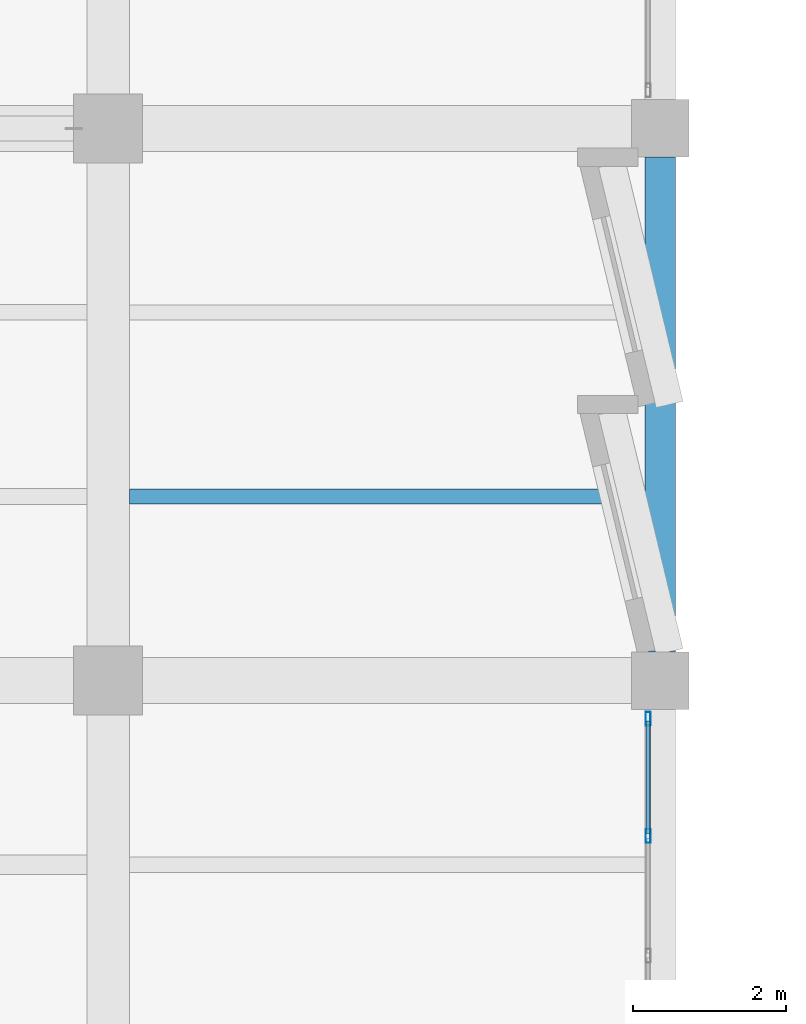
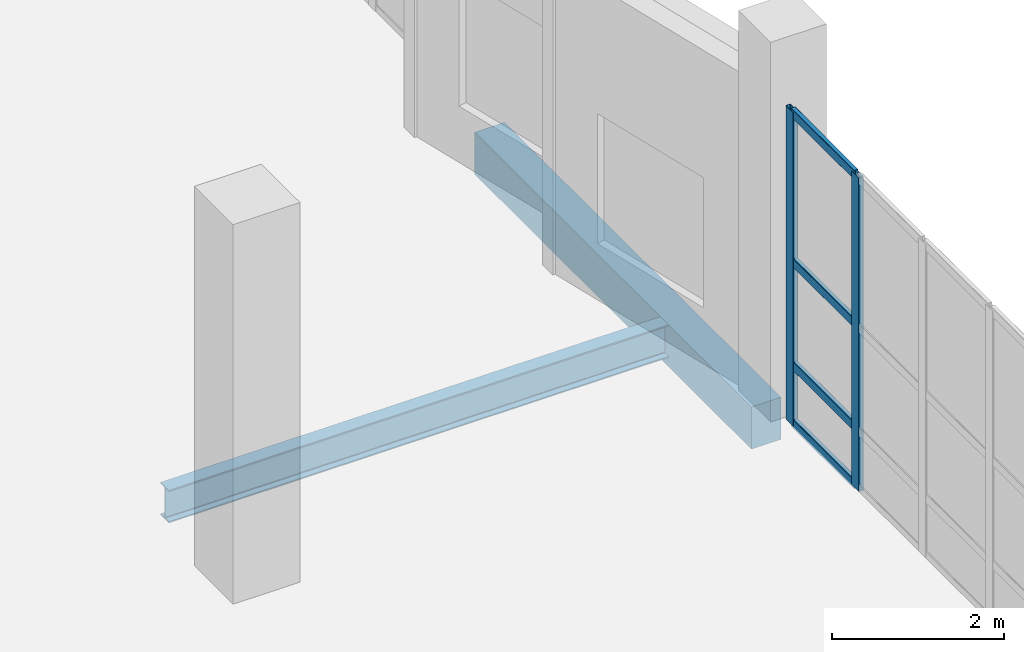
# One storey, part 16 of 137: 6 members, 2 beams, 1 element without a shape of its own.
"""IFC4 building model written with IfcOpenShell, lengths in metres."""

from ifc_helpers import new_model, si_unit, direction, frame, origin, origin_2d, place, context, subcontext, project, spatial, rectangle, hollow_rectangle, i_section, extrude, material, material_profile, profile_set, type_object, element, aggregate, save


model = new_model("IFC4")

# Units and contexts
model_context = context("Model", 3, precision=1e-05, world=origin(), true_north=direction((0.0, 1.0)))
body_context = subcontext(model_context, "Body", "Model", "MODEL_VIEW")
ifc_project = project(units=[si_unit("LENGTHUNIT", "METRE"), si_unit("AREAUNIT", "SQUARE_METRE"), si_unit("VOLUMEUNIT", "CUBIC_METRE"), si_unit("PLANEANGLEUNIT", "RADIAN"), si_unit("MASSUNIT", "GRAM", prefix="KILO")], contexts=[model_context])

# Site, building, storey
site_placement = place(None, origin())
site = spatial("IfcSite", under=ifc_project, at=site_placement, CompositionType="ELEMENT")
building_placement = place(site_placement, origin())
building = spatial("IfcBuilding", under=site, at=building_placement, Name="Kalmorath City Hall", CompositionType="ELEMENT")
storey_placement = place(building_placement, origin())
storey = spatial("IfcBuildingStorey", under=building, at=storey_placement, Name="L00", CompositionType="ELEMENT", Elevation=0.0)

# Beam
ifc_material_1 = material(Name="Concrete C40/50", Category="concrete")
ifc_material_profile_1 = material_profile(ifc_material_1, rectangle(XDim=0.39990234375, YDim=0.60009765625, at=origin_2d()), Name="RC-BM-400X600")
ifc_profile_set_1 = profile_set([ifc_material_profile_1], Name="Concrete C40/50")
beam_type_1 = type_object("IfcBeamType", Name="Concrete edge beam 400x600", PredefinedType="SPANDREL", material=ifc_profile_set_1)
beam_1_placement = place(storey_placement, frame((28.800048828125, 43.574951171875, -0.60400390625), z_axis=(0.0, 1.0, 0.0), x_axis=(-1.0, 0.0, 0.0)))
element("IfcBeam", 1, at=beam_1_placement, inside=storey, type_object=beam_type_1, Name="L00 girder CB6 Y5/7-8", PredefinedType="SPANDREL", context=body_context, shape_type="SweptSolid", body=[
    extrude(rectangle(XDim=0.39990234375, YDim=0.60009765625, at=origin_2d()), origin(), (0.0, 0.0, 1.0), 6.449951171875),
])

# Curtain wall, members
ifc_material_2 = material(Name="Anodised aluminium and laminated glass", Category="aluminium")
curtain_wall_type = type_object("IfcCurtainWallType", Name="Unitised hurricane curtain wall 6245x4461 M1600", PredefinedType="NOTDEFINED", material=ifc_material_2)
curtain_wall_placement = place(storey_placement, origin())
curtain_wall = element("IfcCurtainWall", 2, at=curtain_wall_placement, inside=storey, type_object=curtain_wall_type, Name="L00 curtain wall CW-62X45M16 #58", PredefinedType="NOTDEFINED")
ifc_material_3 = material(Name="Anodised aluminium framing", Category="aluminium")
ifc_material_profile_2 = material_profile(ifc_material_3, hollow_rectangle(XDim=0.06494140625, YDim=0.179931640625, WallThickness=0.00390625, InnerFilletRadius=0.00390625, OuterFilletRadius=0.008056640625, at=origin_2d()), Name="ALU-MUL-180X65X4")
ifc_profile_set_2 = profile_set([ifc_material_profile_2], Name="Anodised aluminium framing")
member_type_1 = type_object("IfcMemberType", Name="Curtain-wall courtyard mullion 180x65", PredefinedType="MULLION", material=ifc_profile_set_2)
member_1_placement = place(storey_placement, frame((28.639892578125, 42.702392578125, 0.0), z_axis=(0.0, 0.0, 1.0), x_axis=(1.0, 0.0, 0.0)))
member_1 = element("IfcMember", 3, at=member_1_placement, type_object=member_type_1, Name="CW-62X45M16 mullion 1", PredefinedType="MULLION", context=body_context, shape_type="SweptSolid", body=[
    extrude(hollow_rectangle(XDim=0.06494140625, YDim=0.179931640625, WallThickness=0.00390625, InnerFilletRadius=0.00390625, OuterFilletRadius=0.008056640625, at=origin_2d()), origin(), (0.0, 0.0, 1.0), 4.4609375),
])
member_2_placement = place(storey_placement, frame((28.639892578125, 41.173828125, 0.0), z_axis=(0.0, 0.0, 1.0), x_axis=(1.0, 0.0, 0.0)))
member_2 = element("IfcMember", 4, at=member_2_placement, type_object=member_type_1, Name="CW-62X45M16 mullion 2", PredefinedType="MULLION", context=body_context, shape_type="SweptSolid", body=[
    extrude(hollow_rectangle(XDim=0.06494140625, YDim=0.179931640625, WallThickness=0.00390625, InnerFilletRadius=0.00390625, OuterFilletRadius=0.008056640625, at=origin_2d()), origin(), (0.0, 0.0, 1.0), 4.4609375),
])
ifc_material_4 = material(Name="Anodised aluminium framing", Category="aluminium")
ifc_material_profile_3 = material_profile(ifc_material_4, hollow_rectangle(XDim=0.06005859375, YDim=0.1298828125, WallThickness=0.00341796875, InnerFilletRadius=0.00341796875, OuterFilletRadius=0.007080078125, at=origin_2d()), Name="ALU-TRN-130X60X3.5")
ifc_profile_set_3 = profile_set([ifc_material_profile_3], Name="Anodised aluminium framing")
member_type_2 = type_object("IfcMemberType", Name="Curtain-wall courtyard transom 130x60", PredefinedType="USERDEFINED", material=ifc_profile_set_3)
member_3_placement = place(storey_placement, frame((28.639892578125, 42.669921875, 0.030029296875), z_axis=(0.0, -1.0, 0.0), x_axis=(1.0, 0.0, 0.0)))
member_3 = element("IfcMember", 5, at=member_3_placement, type_object=member_type_2, Name="CW-62X45M16 transom 1.1", ObjectType="TRANSOM", PredefinedType="USERDEFINED", context=body_context, shape_type="SweptSolid", body=[
    extrude(hollow_rectangle(XDim=0.06005859375, YDim=0.1298828125, WallThickness=0.00341796875, InnerFilletRadius=0.00341796875, OuterFilletRadius=0.007080078125, at=origin_2d()), origin(), (0.0, 0.0, 1.0), 1.463623046875),
])
member_4_placement = place(storey_placement, frame((28.639892578125, 42.669921875, 0.85009765625), z_axis=(0.0, -1.0, 0.0), x_axis=(1.0, 0.0, 0.0)))
member_4 = element("IfcMember", 6, at=member_4_placement, type_object=member_type_2, Name="CW-62X45M16 transom 1.2", ObjectType="TRANSOM", PredefinedType="USERDEFINED", context=body_context, shape_type="SweptSolid", body=[
    extrude(hollow_rectangle(XDim=0.06005859375, YDim=0.1298828125, WallThickness=0.00341796875, InnerFilletRadius=0.00341796875, OuterFilletRadius=0.007080078125, at=origin_2d()), origin(), (0.0, 0.0, 1.0), 1.463623046875),
])
member_5_placement = place(storey_placement, frame((28.639892578125, 42.669921875, 2.320068359375), z_axis=(0.0, -1.0, 0.0), x_axis=(1.0, 0.0, 0.0)))
member_5 = element("IfcMember", 7, at=member_5_placement, type_object=member_type_2, Name="CW-62X45M16 transom 1.3", ObjectType="TRANSOM", PredefinedType="USERDEFINED", context=body_context, shape_type="SweptSolid", body=[
    extrude(hollow_rectangle(XDim=0.06005859375, YDim=0.1298828125, WallThickness=0.00341796875, InnerFilletRadius=0.00341796875, OuterFilletRadius=0.007080078125, at=origin_2d()), origin(), (0.0, 0.0, 1.0), 1.463623046875),
])
member_6_placement = place(storey_placement, frame((28.639892578125, 42.669921875, 4.430908203125), z_axis=(0.0, -1.0, 0.0), x_axis=(1.0, 0.0, 0.0)))
member_6 = element("IfcMember", 8, at=member_6_placement, type_object=member_type_2, Name="CW-62X45M16 transom 1.4", ObjectType="TRANSOM", PredefinedType="USERDEFINED", context=body_context, shape_type="SweptSolid", body=[
    extrude(hollow_rectangle(XDim=0.06005859375, YDim=0.1298828125, WallThickness=0.00341796875, InnerFilletRadius=0.00341796875, OuterFilletRadius=0.007080078125, at=origin_2d()), origin(), (0.0, 0.0, 1.0), 1.463623046875),
])
aggregate(curtain_wall, [member_1, member_2, member_3, member_4, member_5, member_6])

# Beam
ifc_material_5 = material(Name="Steel ASTM A992 Grade 50", Category="steel")
ifc_material_profile_4 = material_profile(ifc_material_5, i_section(OverallWidth=0.193115234375, OverallDepth=0.466064453125, WebThickness=0.011474609375, FlangeThickness=0.01904296875, FilletRadius=0.013916015625, at=origin_2d()), Name="W18X65")
ifc_profile_set_4 = profile_set([ifc_material_profile_4], Name="Steel ASTM A992 Grade 50")
beam_type_2 = type_object("IfcBeamType", Name="Steel composite joist W18X65", PredefinedType="JOIST", material=ifc_profile_set_4)
beam_2_placement = place(storey_placement, frame((21.875, 45.60009765625, -0.537109375), z_axis=(1.0, 0.0, 0.0), x_axis=(0.0, 1.0, 0.0)))
element("IfcBeam", 9, at=beam_2_placement, inside=storey, type_object=beam_type_2, Name="L00 joist SJ1 4.7.1", PredefinedType="JOIST", context=body_context, shape_type="SweptSolid", body=[
    extrude(i_section(OverallWidth=0.193115234375, OverallDepth=0.466064453125, WebThickness=0.011474609375, FlangeThickness=0.01904296875, FilletRadius=0.013916015625, at=origin_2d()), origin(), (0.0, 0.0, 1.0), 6.72509765625),
])

save(model, "model.ifc")
